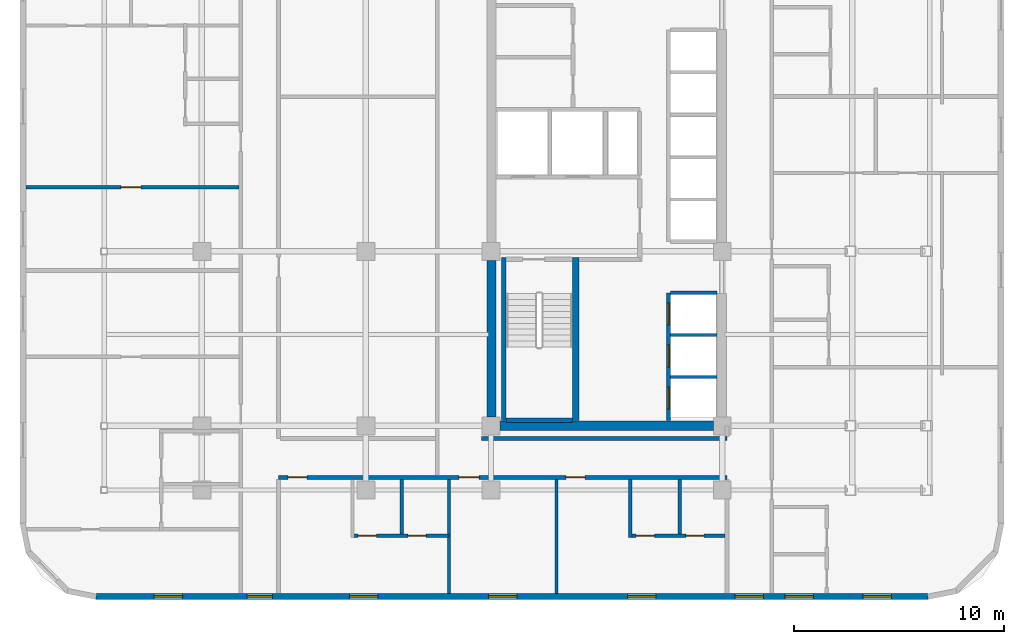
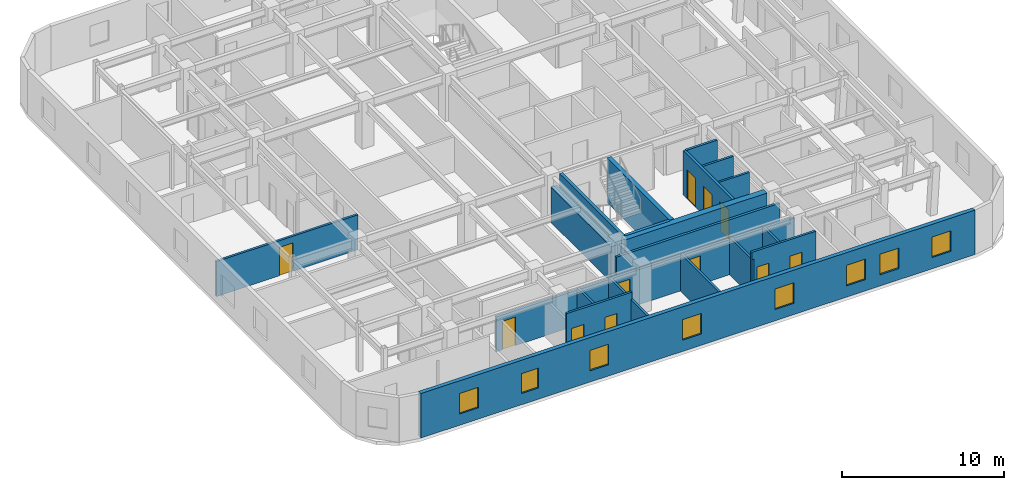
# One storey, part 6 of 12: 20 walls, 11 doors, 8 windows, 19 openings.
"""IFC4 building model written with IfcOpenShell, lengths in metres."""

from ifc_helpers import new_model, si_unit, direction, frame, frame_2d, origin, place, context, subcontext, project, spatial, rectangle, extrude, material, layer, layer_set, type_object, element, fill, save


model = new_model("IFC4")

# Units and contexts
model_context = context("Model", 3, precision=1e-05, world=origin(), true_north=direction((0.0, 1.0)))
body_context = subcontext(model_context, "Body", "Model", "MODEL_VIEW")
ifc_project = project(units=[si_unit("LENGTHUNIT", "METRE"), si_unit("AREAUNIT", "SQUARE_METRE"), si_unit("VOLUMEUNIT", "CUBIC_METRE"), si_unit("PLANEANGLEUNIT", "RADIAN"), si_unit("MASSUNIT", "GRAM", prefix="KILO")], contexts=[model_context])

# Site, building, storey
site_placement = place(None, origin())
site = spatial("IfcSite", under=ifc_project, at=site_placement, CompositionType="ELEMENT")
building_placement = place(site_placement, origin())
building = spatial("IfcBuilding", under=site, at=building_placement, Name="Ochreholt Gables", CompositionType="ELEMENT")
storey_placement = place(building_placement, frame((0.0, 0.0, 38.39990234375)))
storey = spatial("IfcBuildingStorey", under=building, at=storey_placement, Name="L09", CompositionType="ELEMENT", Elevation=38.39990234375)

# Walls
ifc_material_1 = material(Name="Concrete 60 MPa", Category="concrete")
ifc_layer_1 = layer(ifc_material_1, 0.449951171875, Name="Concrete 60 MPa")
ifc_layer_set_1 = layer_set([ifc_layer_1], Name="Concrete 60 MPa")
wall_type_1 = type_object("IfcWallType", Name="WALL-CSW-450", PredefinedType="SHEAR", material=ifc_layer_set_1)
wall_1_placement = place(storey_placement, frame((24.22509765625, 9.675048828125, 0.0), z_axis=(0.0, 0.0, 1.0), x_axis=(0.0, 1.0, 0.0)))
element("IfcWall", 1, at=wall_1_placement, inside=storey, type_object=wall_type_1, Name="L09 Core West Shear Wall WS", PredefinedType="SHEAR", context=body_context, shape_type="SweptSolid", body=[
    extrude(rectangle(XDim=7.449951171875, YDim=0.449951171875, at=frame_2d((3.72509765625, 0.0))), origin(), (0.0, 0.0, 1.0), 2.6669921875),
])
wall_2_placement = place(storey_placement, frame((24.625, 9.25, 0.0), z_axis=(0.0, 0.0, 1.0), x_axis=(1.0, 0.0, 0.0)))
element("IfcWall", 2, at=wall_2_placement, inside=storey, type_object=wall_type_1, Name="L09 Core South Shear Wall", PredefinedType="SHEAR", context=body_context, shape_type="SweptSolid", body=[
    extrude(rectangle(XDim=10.14990234375, YDim=0.449951171875, at=frame_2d((5.074951171875, 0.0))), origin(), (0.0, 0.0, 1.0), 3.360107421875),
])

# Wall, openings, windows
ifc_material_2 = material(Name="Precast concrete 40 MPa", Category="concrete")
ifc_layer_2 = layer(ifc_material_2, 0.2900390625, Name="Precast concrete 40 MPa")
ifc_layer_set_2 = layer_set([ifc_layer_2], Name="Precast concrete 40 MPa")
wall_type_2 = type_object("IfcWallType", Name="WALL-EXT-290", PredefinedType="SOLIDWALL", material=ifc_layer_set_2)
wall_3_placement = place(storey_placement, frame((5.419921875, 1.14501953125, 0.0), z_axis=(0.0, 0.0, 1.0), x_axis=(1.0, 0.0, 0.0)))
wall_3 = element("IfcWall", 3, at=wall_3_placement, inside=storey, type_object=wall_type_2, Name="L09 South Exterior Wall", PredefinedType="SOLIDWALL", context=body_context, shape_type="SweptSolid", body=[
    extrude(rectangle(XDim=39.56005859375, YDim=0.2900390625, at=frame_2d((19.780029296875, 0.0))), origin(), (0.0, 0.0, 1.0), 3.360107421875),
])
opening_1_placement = place(wall_3_placement, frame((2.764892578125, 0.0, 0.85009765625)))
opening_1 = element("IfcOpeningElement", 4, at=opening_1_placement, cuts=wall_3, Name="Opening WN-8", PredefinedType="OPENING", context=body_context, shape_type="SweptSolid", body=[
    extrude(rectangle(XDim=1.35009765625, YDim=1.550048828125, at=frame_2d((0.675048828125, 0.77490234375))), frame((0.0, 0.155029296875, 0.0), z_axis=(0.0, -1.0, 0.0), x_axis=(1.0, 0.0, 0.0)), (0.0, 0.0, 1.0), 0.31005859375),
])
opening_2_placement = place(wall_3_placement, frame((7.179931640625, 0.0, 0.85009765625)))
opening_2 = element("IfcOpeningElement", 5, at=opening_2_placement, cuts=wall_3, Name="Opening WN-3", PredefinedType="OPENING", context=body_context, shape_type="SweptSolid", body=[
    extrude(rectangle(XDim=1.199951171875, YDim=1.5, at=frame_2d((0.60009765625, 0.75))), frame((0.0, 0.155029296875, 0.0), z_axis=(0.0, -1.0, 0.0), x_axis=(1.0, 0.0, 0.0)), (0.0, 0.0, 1.0), 0.31005859375),
])
opening_3_placement = place(wall_3_placement, frame((12.055908203125, 0.0, 0.85009765625)))
opening_3 = element("IfcOpeningElement", 6, at=opening_3_placement, cuts=wall_3, Name="Opening WN-8", PredefinedType="OPENING", context=body_context, shape_type="SweptSolid", body=[
    extrude(rectangle(XDim=1.35009765625, YDim=1.550048828125, at=frame_2d((0.675048828125, 0.77490234375))), frame((0.0, 0.155029296875, 0.0), z_axis=(0.0, -1.0, 0.0), x_axis=(1.0, 0.0, 0.0)), (0.0, 0.0, 1.0), 0.31005859375),
])
opening_4_placement = place(wall_3_placement, frame((18.6650390625, 0.0, 0.85009765625)))
opening_4 = element("IfcOpeningElement", 7, at=opening_4_placement, cuts=wall_3, Name="Opening WN-8", PredefinedType="OPENING", context=body_context, shape_type="SweptSolid", body=[
    extrude(rectangle(XDim=1.35009765625, YDim=1.550048828125, at=frame_2d((0.675048828125, 0.77490234375))), frame((0.0, 0.155029296875, 0.0), z_axis=(0.0, -1.0, 0.0), x_axis=(1.0, 0.0, 0.0)), (0.0, 0.0, 1.0), 0.31005859375),
])
opening_5_placement = place(wall_3_placement, frame((25.274169921875, 0.0, 0.85009765625)))
opening_5 = element("IfcOpeningElement", 8, at=opening_5_placement, cuts=wall_3, Name="Opening WN-8", PredefinedType="OPENING", context=body_context, shape_type="SweptSolid", body=[
    extrude(rectangle(XDim=1.35009765625, YDim=1.550048828125, at=frame_2d((0.675048828125, 0.77490234375))), frame((0.0, 0.155029296875, 0.0), z_axis=(0.0, -1.0, 0.0), x_axis=(1.0, 0.0, 0.0)), (0.0, 0.0, 1.0), 0.31005859375),
])
opening_6_placement = place(wall_3_placement, frame((30.389892578125, 0.0, 0.85009765625)))
opening_6 = element("IfcOpeningElement", 9, at=opening_6_placement, cuts=wall_3, Name="Opening WN-8", PredefinedType="OPENING", context=body_context, shape_type="SweptSolid", body=[
    extrude(rectangle(XDim=1.35009765625, YDim=1.550048828125, at=frame_2d((0.675048828125, 0.77490234375))), frame((0.0, 0.155029296875, 0.0), z_axis=(0.0, -1.0, 0.0), x_axis=(1.0, 0.0, 0.0)), (0.0, 0.0, 1.0), 0.31005859375),
])
opening_7_placement = place(wall_3_placement, frame((32.762939453125, 0.0, 0.85009765625)))
opening_7 = element("IfcOpeningElement", 10, at=opening_7_placement, cuts=wall_3, Name="Opening WN-8", PredefinedType="OPENING", context=body_context, shape_type="SweptSolid", body=[
    extrude(rectangle(XDim=1.35009765625, YDim=1.550048828125, at=frame_2d((0.675048828125, 0.77490234375))), frame((0.0, 0.155029296875, 0.0), z_axis=(0.0, -1.0, 0.0), x_axis=(1.0, 0.0, 0.0)), (0.0, 0.0, 1.0), 0.31005859375),
])
opening_8_placement = place(wall_3_placement, frame((36.47802734375, 0.0, 0.85009765625)))
opening_8 = element("IfcOpeningElement", 11, at=opening_8_placement, cuts=wall_3, Name="Opening WN-8", PredefinedType="OPENING", context=body_context, shape_type="SweptSolid", body=[
    extrude(rectangle(XDim=1.35009765625, YDim=1.550048828125, at=frame_2d((0.675048828125, 0.77490234375))), frame((0.0, 0.155029296875, 0.0), z_axis=(0.0, -1.0, 0.0), x_axis=(1.0, 0.0, 0.0)), (0.0, 0.0, 1.0), 0.31005859375),
])
ifc_material_3 = material(Name="Triple-Glazed Thermally Broken Aluminium Window", Category="aluminium")
window_type_1 = type_object("IfcWindowType", Name="WIN-RES-1200", PartitioningType="SINGLE_PANEL", PredefinedType="WINDOW", material=ifc_material_3)
window_1_placement = place(opening_2_placement, origin())
window_1 = element("IfcWindow", 12, at=window_1_placement, inside=storey, type_object=window_type_1, Name="L09 Window W-EXT-S-L09-2", OverallHeight=1.5, OverallWidth=1.199951171875, PartitioningType="SINGLE_PANEL", PredefinedType="WINDOW", context=body_context, shape_type="SweptSolid", body=[
    extrude(rectangle(XDim=1.199951171875, YDim=1.5, at=frame_2d((0.60009765625, 0.75))), frame((0.0, 0.030029296875, 0.0), z_axis=(0.0, -1.0, 0.0), x_axis=(1.0, 0.0, 0.0)), (0.0, 0.0, 1.0), 0.06005859375),
])
fill(opening_2, window_1)
window_type_2 = type_object("IfcWindowType", Name="WIN-RES-1350", PartitioningType="SINGLE_PANEL", PredefinedType="WINDOW", material=ifc_material_3)
window_2_placement = place(opening_1_placement, origin())
window_2 = element("IfcWindow", 13, at=window_2_placement, inside=storey, type_object=window_type_2, Name="L09 Window W-EXT-S-L09-1", OverallHeight=1.550048828125, OverallWidth=1.35009765625, PartitioningType="SINGLE_PANEL", PredefinedType="WINDOW", context=body_context, shape_type="SweptSolid", body=[
    extrude(rectangle(XDim=1.35009765625, YDim=1.550048828125, at=frame_2d((0.675048828125, 0.77490234375))), frame((0.0, 0.030029296875, 0.0), z_axis=(0.0, -1.0, 0.0), x_axis=(1.0, 0.0, 0.0)), (0.0, 0.0, 1.0), 0.06005859375),
])
fill(opening_1, window_2)
window_3_placement = place(opening_3_placement, origin())
window_3 = element("IfcWindow", 14, at=window_3_placement, inside=storey, type_object=window_type_2, Name="L09 Window W-EXT-S-L09-3", OverallHeight=1.550048828125, OverallWidth=1.35009765625, PartitioningType="SINGLE_PANEL", PredefinedType="WINDOW", context=body_context, shape_type="SweptSolid", body=[
    extrude(rectangle(XDim=1.35009765625, YDim=1.550048828125, at=frame_2d((0.675048828125, 0.77490234375))), frame((0.0, 0.030029296875, 0.0), z_axis=(0.0, -1.0, 0.0), x_axis=(1.0, 0.0, 0.0)), (0.0, 0.0, 1.0), 0.06005859375),
])
fill(opening_3, window_3)
window_4_placement = place(opening_4_placement, origin())
window_4 = element("IfcWindow", 15, at=window_4_placement, inside=storey, type_object=window_type_2, Name="L09 Window W-EXT-S-L09-4", OverallHeight=1.550048828125, OverallWidth=1.35009765625, PartitioningType="SINGLE_PANEL", PredefinedType="WINDOW", context=body_context, shape_type="SweptSolid", body=[
    extrude(rectangle(XDim=1.35009765625, YDim=1.550048828125, at=frame_2d((0.675048828125, 0.77490234375))), frame((0.0, 0.030029296875, 0.0), z_axis=(0.0, -1.0, 0.0), x_axis=(1.0, 0.0, 0.0)), (0.0, 0.0, 1.0), 0.06005859375),
])
fill(opening_4, window_4)
window_5_placement = place(opening_5_placement, origin())
window_5 = element("IfcWindow", 16, at=window_5_placement, inside=storey, type_object=window_type_2, Name="L09 Window W-EXT-S-L09-5", OverallHeight=1.550048828125, OverallWidth=1.35009765625, PartitioningType="SINGLE_PANEL", PredefinedType="WINDOW", context=body_context, shape_type="SweptSolid", body=[
    extrude(rectangle(XDim=1.35009765625, YDim=1.550048828125, at=frame_2d((0.675048828125, 0.77490234375))), frame((0.0, 0.030029296875, 0.0), z_axis=(0.0, -1.0, 0.0), x_axis=(1.0, 0.0, 0.0)), (0.0, 0.0, 1.0), 0.06005859375),
])
fill(opening_5, window_5)
window_6_placement = place(opening_6_placement, origin())
window_6 = element("IfcWindow", 17, at=window_6_placement, inside=storey, type_object=window_type_2, Name="L09 Window W-EXT-S-L09-6", OverallHeight=1.550048828125, OverallWidth=1.35009765625, PartitioningType="SINGLE_PANEL", PredefinedType="WINDOW", context=body_context, shape_type="SweptSolid", body=[
    extrude(rectangle(XDim=1.35009765625, YDim=1.550048828125, at=frame_2d((0.675048828125, 0.77490234375))), frame((0.0, 0.030029296875, 0.0), z_axis=(0.0, -1.0, 0.0), x_axis=(1.0, 0.0, 0.0)), (0.0, 0.0, 1.0), 0.06005859375),
])
fill(opening_6, window_6)
window_7_placement = place(opening_7_placement, origin())
window_7 = element("IfcWindow", 18, at=window_7_placement, inside=storey, type_object=window_type_2, Name="L09 Window W-EXT-S-L09-7", OverallHeight=1.550048828125, OverallWidth=1.35009765625, PartitioningType="SINGLE_PANEL", PredefinedType="WINDOW", context=body_context, shape_type="SweptSolid", body=[
    extrude(rectangle(XDim=1.35009765625, YDim=1.550048828125, at=frame_2d((0.675048828125, 0.77490234375))), frame((0.0, 0.030029296875, 0.0), z_axis=(0.0, -1.0, 0.0), x_axis=(1.0, 0.0, 0.0)), (0.0, 0.0, 1.0), 0.06005859375),
])
fill(opening_7, window_7)
window_8_placement = place(opening_8_placement, origin())
window_8 = element("IfcWindow", 19, at=window_8_placement, inside=storey, type_object=window_type_2, Name="L09 Window W-EXT-S-L09-8", OverallHeight=1.550048828125, OverallWidth=1.35009765625, PartitioningType="SINGLE_PANEL", PredefinedType="WINDOW", context=body_context, shape_type="SweptSolid", body=[
    extrude(rectangle(XDim=1.35009765625, YDim=1.550048828125, at=frame_2d((0.675048828125, 0.77490234375))), frame((0.0, 0.030029296875, 0.0), z_axis=(0.0, -1.0, 0.0), x_axis=(1.0, 0.0, 0.0)), (0.0, 0.0, 1.0), 0.06005859375),
])
fill(opening_8, window_8)

# Wall, openings, doors
ifc_material_4 = material(Name="Fire-Rated Gypsum Acoustic Partition", Category="gypsum")
ifc_layer_3 = layer(ifc_material_4, 0.179931640625, Name="Fire-Rated Gypsum Acoustic Partition")
ifc_layer_set_3 = layer_set([ifc_layer_3], Name="Fire-Rated Gypsum Acoustic Partition")
wall_type_3 = type_object("IfcWallType", Name="WALL-INT-CR180", PredefinedType="STANDARD", material=ifc_layer_set_3)
wall_4_placement = place(storey_placement, frame((14.10009765625, 6.800048828125, 0.0), z_axis=(0.0, 0.0, 1.0), x_axis=(1.0, 0.0, 0.0)))
wall_4 = element("IfcWall", 20, at=wall_4_placement, inside=storey, type_object=wall_type_3, Name="L09 Interior Wall WI-C1S-L09", PredefinedType="STANDARD", context=body_context, shape_type="SweptSolid", body=[
    extrude(rectangle(XDim=21.31982421875, YDim=0.179931640625, at=frame_2d((10.659912109375, 0.0))), origin(), (0.0, 0.0, 1.0), 2.649169921875),
])
opening_9_placement = place(wall_4_placement, frame((0.43994140625, 0.0, 0.0)))
opening_9 = element("IfcOpeningElement", 21, at=opening_9_placement, cuts=wall_4, Name="Opening D-UN1", PredefinedType="OPENING", context=body_context, shape_type="SweptSolid", body=[
    extrude(rectangle(XDim=0.919921875, YDim=2.14990234375, at=frame_2d((0.4599609375, 1.074951171875))), frame((0.0, 0.099853515625, 0.0), z_axis=(0.0, -1.0, 0.0), x_axis=(1.0, 0.0, 0.0)), (0.0, 0.0, 1.0), 0.199951171875),
])
opening_10_placement = place(wall_4_placement, frame((8.58154296875, 0.0, 0.0)))
opening_10 = element("IfcOpeningElement", 22, at=opening_10_placement, cuts=wall_4, Name="Opening D-GN1", PredefinedType="OPENING", context=body_context, shape_type="SweptSolid", body=[
    extrude(rectangle(XDim=0.949951171875, YDim=2.14990234375, at=frame_2d((0.47509765625, 1.074951171875))), frame((0.0, 0.099853515625, 0.0), z_axis=(0.0, -1.0, 0.0), x_axis=(1.0, 0.0, 0.0)), (0.0, 0.0, 1.0), 0.199951171875),
])
opening_11_placement = place(wall_4_placement, frame((13.658447265625, 0.0, 0.0)))
opening_11 = element("IfcOpeningElement", 23, at=opening_11_placement, cuts=wall_4, Name="Opening D-UN1", PredefinedType="OPENING", context=body_context, shape_type="SweptSolid", body=[
    extrude(rectangle(XDim=0.919921875, YDim=2.14990234375, at=frame_2d((0.4599609375, 1.074951171875))), frame((0.0, 0.099853515625, 0.0), z_axis=(0.0, -1.0, 0.0), x_axis=(1.0, 0.0, 0.0)), (0.0, 0.0, 1.0), 0.199951171875),
])
ifc_material_5 = material(Name="Engineered Oak Timber", Category="wood")
door_type_1 = type_object("IfcDoorType", Name="DR-INT-GEN950", OperationType="NOTDEFINED", PredefinedType="DOOR", material=ifc_material_5)
door_1_placement = place(opening_10_placement, origin())
door_1 = element("IfcDoor", 24, at=door_1_placement, inside=storey, type_object=door_type_1, Name="L09 Door D-C1S3-L09", OperationType="SINGLE_SWING_LEFT", OverallHeight=2.14990234375, OverallWidth=0.949951171875, PredefinedType="DOOR", context=body_context, shape_type="SweptSolid", body=[
    extrude(rectangle(XDim=0.949951171875, YDim=2.14990234375, at=frame_2d((0.47509765625, 1.074951171875))), frame((0.0, 0.02490234375, 0.0), z_axis=(0.0, -1.0, 0.0), x_axis=(1.0, 0.0, 0.0)), (0.0, 0.0, 1.0), 0.050048828125),
])
fill(opening_10, door_1)
door_type_2 = type_object("IfcDoorType", Name="DR-INT-UNT920", OperationType="NOTDEFINED", PredefinedType="DOOR", material=ifc_material_5)
door_2_placement = place(opening_9_placement, origin())
door_2 = element("IfcDoor", 25, at=door_2_placement, inside=storey, type_object=door_type_2, Name="L09 Door D-U-L09S1-ENT", OperationType="SINGLE_SWING_RIGHT", OverallHeight=2.14990234375, OverallWidth=0.919921875, PredefinedType="DOOR", context=body_context, shape_type="SweptSolid", body=[
    extrude(rectangle(XDim=0.919921875, YDim=2.14990234375, at=frame_2d((0.4599609375, 1.074951171875))), frame((0.0, 0.02490234375, 0.0), z_axis=(0.0, -1.0, 0.0), x_axis=(1.0, 0.0, 0.0)), (0.0, 0.0, 1.0), 0.050048828125),
])
fill(opening_9, door_2)
door_3_placement = place(opening_11_placement, origin())
door_3 = element("IfcDoor", 26, at=door_3_placement, inside=storey, type_object=door_type_2, Name="L09 Door D-U-L09S3-ENT", OperationType="SINGLE_SWING_RIGHT", OverallHeight=2.14990234375, OverallWidth=0.919921875, PredefinedType="DOOR", context=body_context, shape_type="SweptSolid", body=[
    extrude(rectangle(XDim=0.919921875, YDim=2.14990234375, at=frame_2d((0.4599609375, 1.074951171875))), frame((0.0, 0.02490234375, 0.0), z_axis=(0.0, -1.0, 0.0), x_axis=(1.0, 0.0, 0.0)), (0.0, 0.0, 1.0), 0.050048828125),
])
fill(opening_11, door_3)

# Wall
wall_5_placement = place(storey_placement, frame((23.75, 8.64990234375, 0.0), z_axis=(0.0, 0.0, 1.0), x_axis=(1.0, 0.0, 0.0)))
element("IfcWall", 27, at=wall_5_placement, inside=storey, type_object=wall_type_3, Name="L09 Interior Wall WI-C1S2-L09", PredefinedType="STANDARD", context=body_context, shape_type="SweptSolid", body=[
    extrude(rectangle(XDim=11.669921875, YDim=0.179931640625, at=frame_2d((5.8349609375, 0.0))), origin(), (0.0, 0.0, 1.0), 2.649169921875),
])

# Wall, openings, doors
ifc_material_6 = material(Name="Moisture-Resistant Plumbing Chase Wall", Category="gypsum")
ifc_layer_4 = layer(ifc_material_6, 0.159912109375, Name="Moisture-Resistant Plumbing Chase Wall")
ifc_layer_set_4 = layer_set([ifc_layer_4], Name="Moisture-Resistant Plumbing Chase Wall")
wall_type_4 = type_object("IfcWallType", Name="WALL-INT-PL160", PredefinedType="PLUMBINGWALL", material=ifc_layer_set_4)
wall_6_placement = place(storey_placement, frame((17.531494140625, 4.030029296875, 0.0), z_axis=(0.0, 0.0, 1.0), x_axis=(1.0, 0.0, 0.0)))
wall_6 = element("IfcWall", 28, at=wall_6_placement, inside=storey, type_object=wall_type_4, Name="L09 Interior Wall WU-L09S1-WY", PredefinedType="PLUMBINGWALL", context=body_context, shape_type="SweptSolid", body=[
    extrude(rectangle(XDim=4.670166015625, YDim=0.159912109375, at=frame_2d((2.3349609375, 0.0))), origin(), (0.0, 0.0, 1.0), 3.360107421875),
])
opening_12_placement = place(wall_6_placement, frame((0.35009765625, 0.0, 0.0)))
opening_12 = element("IfcOpeningElement", 29, at=opening_12_placement, cuts=wall_6, Name="Opening D-GN2", PredefinedType="OPENING", context=body_context, shape_type="SweptSolid", body=[
    extrude(rectangle(XDim=0.8798828125, YDim=2.1201171875, at=frame_2d((0.43994140625, 1.06005859375))), frame((0.0, 0.08984375, 0.0), z_axis=(0.0, -1.0, 0.0), x_axis=(1.0, 0.0, 0.0)), (0.0, 0.0, 1.0), 0.179931640625),
])
opening_13_placement = place(wall_6_placement, frame((2.719970703125, 0.0, 0.0)))
opening_13 = element("IfcOpeningElement", 30, at=opening_13_placement, cuts=wall_6, Name="Opening D-BT1", PredefinedType="OPENING", context=body_context, shape_type="SweptSolid", body=[
    extrude(rectangle(XDim=0.860107421875, YDim=2.1201171875, at=frame_2d((0.43017578125, 1.06005859375))), frame((0.0, 0.08984375, 0.0), z_axis=(0.0, -1.0, 0.0), x_axis=(1.0, 0.0, 0.0)), (0.0, 0.0, 1.0), 0.179931640625),
])
door_type_3 = type_object("IfcDoorType", Name="DR-INT-BTH860", OperationType="NOTDEFINED", PredefinedType="DOOR", material=ifc_material_5)
door_4_placement = place(opening_13_placement, origin())
door_4 = element("IfcDoor", 31, at=door_4_placement, inside=storey, type_object=door_type_3, Name="L09 Door D-U-L09S1-BTH", OperationType="SINGLE_SWING_RIGHT", OverallHeight=2.1201171875, OverallWidth=0.860107421875, PredefinedType="DOOR", context=body_context, shape_type="SweptSolid", body=[
    extrude(rectangle(XDim=0.860107421875, YDim=2.1201171875, at=frame_2d((0.43017578125, 1.06005859375))), frame((0.0, 0.02490234375, 0.0), z_axis=(0.0, -1.0, 0.0), x_axis=(1.0, 0.0, 0.0)), (0.0, 0.0, 1.0), 0.050048828125),
])
fill(opening_13, door_4)
door_type_4 = type_object("IfcDoorType", Name="DR-INT-GEN880", OperationType="NOTDEFINED", PredefinedType="DOOR", material=ifc_material_5)
door_5_placement = place(opening_12_placement, origin())
door_5 = element("IfcDoor", 32, at=door_5_placement, inside=storey, type_object=door_type_4, Name="L09 Door D-U-L09S1-KIT", OperationType="SINGLE_SWING_LEFT", OverallHeight=2.1201171875, OverallWidth=0.8798828125, PredefinedType="DOOR", context=body_context, shape_type="SweptSolid", body=[
    extrude(rectangle(XDim=0.8798828125, YDim=2.1201171875, at=frame_2d((0.43994140625, 1.06005859375))), frame((0.0, 0.02490234375, 0.0), z_axis=(0.0, -1.0, 0.0), x_axis=(1.0, 0.0, 0.0)), (0.0, 0.0, 1.0), 0.050048828125),
])
fill(opening_12, door_5)

# Wall
wall_7_placement = place(storey_placement, frame((19.95166015625, 4.110107421875, 0.0), z_axis=(0.0, 0.0, 1.0), x_axis=(0.0, 1.0, 0.0)))
element("IfcWall", 33, at=wall_7_placement, inside=storey, type_object=wall_type_4, Name="L09 Interior Wall WU-L09S1-WK", PredefinedType="PLUMBINGWALL", context=body_context, shape_type="SweptSolid", body=[
    extrude(rectangle(XDim=2.599853515625, YDim=0.159912109375, at=frame_2d((1.2998046875, 0.0))), origin(), (0.0, 0.0, 1.0), 2.80908203125),
])

# Wall, openings, doors
wall_8_placement = place(storey_placement, frame((30.75, 4.030029296875, 0.0), z_axis=(0.0, 0.0, 1.0), x_axis=(1.0, 0.0, 0.0)))
wall_8 = element("IfcWall", 34, at=wall_8_placement, inside=storey, type_object=wall_type_4, Name="L09 Interior Wall WU-L09S3-WY", PredefinedType="PLUMBINGWALL", context=body_context, shape_type="SweptSolid", body=[
    extrude(rectangle(XDim=4.580078125, YDim=0.159912109375, at=frame_2d((2.2900390625, 0.0))), origin(), (0.0, 0.0, 1.0), 3.360107421875),
])
opening_14_placement = place(wall_8_placement, frame((0.35009765625, 0.0, 0.0)))
opening_14 = element("IfcOpeningElement", 35, at=opening_14_placement, cuts=wall_8, Name="Opening D-GN2", PredefinedType="OPENING", context=body_context, shape_type="SweptSolid", body=[
    extrude(rectangle(XDim=0.8798828125, YDim=2.1201171875, at=frame_2d((0.43994140625, 1.06005859375))), frame((0.0, 0.08984375, 0.0), z_axis=(0.0, -1.0, 0.0), x_axis=(1.0, 0.0, 0.0)), (0.0, 0.0, 1.0), 0.179931640625),
])
opening_15_placement = place(wall_8_placement, frame((2.719970703125, 0.0, 0.0)))
opening_15 = element("IfcOpeningElement", 36, at=opening_15_placement, cuts=wall_8, Name="Opening D-BT1", PredefinedType="OPENING", context=body_context, shape_type="SweptSolid", body=[
    extrude(rectangle(XDim=0.860107421875, YDim=2.1201171875, at=frame_2d((0.43017578125, 1.06005859375))), frame((0.0, 0.08984375, 0.0), z_axis=(0.0, -1.0, 0.0), x_axis=(1.0, 0.0, 0.0)), (0.0, 0.0, 1.0), 0.179931640625),
])
door_6_placement = place(opening_15_placement, origin())
door_6 = element("IfcDoor", 37, at=door_6_placement, inside=storey, type_object=door_type_3, Name="L09 Door D-U-L09S3-BTH", OperationType="SINGLE_SWING_RIGHT", OverallHeight=2.1201171875, OverallWidth=0.860107421875, PredefinedType="DOOR", context=body_context, shape_type="SweptSolid", body=[
    extrude(rectangle(XDim=0.860107421875, YDim=2.1201171875, at=frame_2d((0.43017578125, 1.06005859375))), frame((0.0, 0.02490234375, 0.0), z_axis=(0.0, -1.0, 0.0), x_axis=(1.0, 0.0, 0.0)), (0.0, 0.0, 1.0), 0.050048828125),
])
fill(opening_15, door_6)
door_7_placement = place(opening_14_placement, origin())
door_7 = element("IfcDoor", 38, at=door_7_placement, inside=storey, type_object=door_type_4, Name="L09 Door D-U-L09S3-KIT", OperationType="SINGLE_SWING_LEFT", OverallHeight=2.1201171875, OverallWidth=0.8798828125, PredefinedType="DOOR", context=body_context, shape_type="SweptSolid", body=[
    extrude(rectangle(XDim=0.8798828125, YDim=2.1201171875, at=frame_2d((0.43994140625, 1.06005859375))), frame((0.0, 0.02490234375, 0.0), z_axis=(0.0, -1.0, 0.0), x_axis=(1.0, 0.0, 0.0)), (0.0, 0.0, 1.0), 0.050048828125),
])
fill(opening_14, door_7)

# Walls
wall_9_placement = place(storey_placement, frame((30.830078125, 3.949951171875, 0.0), z_axis=(0.0, 0.0, 1.0), x_axis=(0.0, 1.0, 0.0)))
element("IfcWall", 39, at=wall_9_placement, inside=storey, type_object=wall_type_4, Name="L09 Interior Wall WU-L09S3-FY", PredefinedType="PLUMBINGWALL", context=body_context, shape_type="SweptSolid", body=[
    extrude(rectangle(XDim=2.760009765625, YDim=0.159912109375, at=frame_2d((1.3798828125, 0.0))), origin(), (0.0, 0.0, 1.0), 2.80908203125),
])
wall_10_placement = place(storey_placement, frame((33.169921875, 4.110107421875, 0.0), z_axis=(0.0, 0.0, 1.0), x_axis=(0.0, 1.0, 0.0)))
element("IfcWall", 40, at=wall_10_placement, inside=storey, type_object=wall_type_4, Name="L09 Interior Wall WU-L09S3-WK", PredefinedType="PLUMBINGWALL", context=body_context, shape_type="SweptSolid", body=[
    extrude(rectangle(XDim=2.599853515625, YDim=0.159912109375, at=frame_2d((1.2998046875, 0.0))), origin(), (0.0, 0.0, 1.0), 2.80908203125),
])

# Wall, opening, door
ifc_material_7 = material(Name="Gypsum Acoustic Stud Partition", Category="gypsum")
ifc_layer_5 = layer(ifc_material_7, 0.159912109375, Name="Gypsum Acoustic Stud Partition")
ifc_layer_set_5 = layer_set([ifc_layer_5], Name="Gypsum Acoustic Stud Partition")
wall_type_5 = type_object("IfcWallType", Name="WALL-INT-PT160", PredefinedType="PARTITIONING", material=ifc_layer_set_5)
wall_11_placement = place(storey_placement, frame((2.090087890625, 20.601806640625, 0.0), z_axis=(0.0, 0.0, 1.0), x_axis=(1.0, 0.0, 0.0)))
wall_11 = element("IfcWall", 41, at=wall_11_placement, inside=storey, type_object=wall_type_5, Name="L09 Interior Wall WU-L09W2-DNW", PredefinedType="PARTITIONING", context=body_context, shape_type="SweptSolid", body=[
    extrude(rectangle(XDim=10.119873046875, YDim=0.159912109375, at=frame_2d((5.06005859375, 0.0))), origin(), (0.0, 0.0, 1.0), 2.649169921875),
])
opening_16_placement = place(wall_11_placement, frame((4.510009765625, 0.0, 0.0)))
opening_16 = element("IfcOpeningElement", 42, at=opening_16_placement, cuts=wall_11, Name="Opening D-GN1", PredefinedType="OPENING", context=body_context, shape_type="SweptSolid", body=[
    extrude(rectangle(XDim=0.949951171875, YDim=2.14990234375, at=frame_2d((0.47509765625, 1.074951171875))), frame((0.0, 0.08984375, 0.0), z_axis=(0.0, -1.0, 0.0), x_axis=(1.0, 0.0, 0.0)), (0.0, 0.0, 1.0), 0.179931640625),
])
door_8_placement = place(opening_16_placement, origin())
door_8 = element("IfcDoor", 43, at=door_8_placement, inside=storey, type_object=door_type_1, Name="L09 Door D-U-L09W2-DIN", OperationType="SINGLE_SWING_RIGHT", OverallHeight=2.14990234375, OverallWidth=0.949951171875, PredefinedType="DOOR", context=body_context, shape_type="SweptSolid", body=[
    extrude(rectangle(XDim=0.949951171875, YDim=2.14990234375, at=frame_2d((0.47509765625, 1.074951171875))), frame((0.0, 0.02490234375, 0.0), z_axis=(0.0, -1.0, 0.0), x_axis=(1.0, 0.0, 0.0)), (0.0, 0.0, 1.0), 0.050048828125),
])
fill(opening_16, door_8)

# Walls
for number, where, z_axis, x_axis, name in (
    (44, (22.20166015625, 1.2900390625, 0.0), (0.0, 0.0, 1.0), (0.0, 1.0, 0.0), "L09 Interior Wall WI-UDS2-L09"),
    (45, (27.318359375, 1.2900390625, 0.0), (0.0, 0.0, 1.0), (0.0, 1.0, 0.0), "L09 Interior Wall WI-UDS3-L09"),
):
    element("IfcWall", number, at=place(storey_placement, frame(where, z_axis=z_axis, x_axis=x_axis)), inside=storey, type_object=wall_type_5, Name=name, PredefinedType="PARTITIONING", context=body_context, shape_type="SweptSolid", body=[
        extrude(rectangle(XDim=5.419921875, YDim=0.159912109375, at=frame_2d((2.7099609375, 0.0))), origin(), (0.0, 0.0, 1.0), 2.80908203125),
    ])
ifc_material_8 = material(Name="Gypsum Shaftliner and Steel Stud", Category="steel")
ifc_layer_6 = layer(ifc_material_8, 0.14990234375, Name="Gypsum Shaftliner and Steel Stud")
ifc_layer_set_6 = layer_set([ifc_layer_6], Name="Gypsum Shaftliner and Steel Stud")
wall_type_6 = type_object("IfcWallType", Name="WALL-INT-SH150", PredefinedType="STANDARD", material=ifc_layer_set_6)
for number, where, z_axis, x_axis, name in (
    (46, (32.739990234375, 11.570068359375, 0.0), (0.0, 0.0, 1.0), (1.0, 0.0, 0.0), "L09 Interior Wall WI-LFL-D1-L09"),
    (47, (32.739990234375, 13.570068359375, 0.0), (0.0, 0.0, 1.0), (1.0, 0.0, 0.0), "L09 Interior Wall WI-LFL-D2-L09"),
):
    element("IfcWall", number, at=place(storey_placement, frame(where, z_axis=z_axis, x_axis=x_axis)), inside=storey, type_object=wall_type_6, Name=name, PredefinedType="STANDARD", context=body_context, shape_type="SweptSolid", body=[
        extrude(rectangle(XDim=2.2099609375, YDim=0.14990234375, at=frame_2d((1.10498046875, 0.0))), origin(), (0.0, 0.0, 1.0), 3.360107421875),
    ])

# Wall, openings, doors
ifc_layer_7 = layer(ifc_material_8, 0.179931640625, Name="Gypsum Shaftliner and Steel Stud")
ifc_layer_set_7 = layer_set([ifc_layer_7], Name="Gypsum Shaftliner and Steel Stud")
wall_type_7 = type_object("IfcWallType", Name="WALL-INT-SH180", PredefinedType="STANDARD", material=ifc_layer_set_7)
wall_12_placement = place(storey_placement, frame((32.64990234375, 9.5, 0.0), z_axis=(0.0, 0.0, 1.0), x_axis=(0.0, 1.0, 0.0)))
wall_12 = element("IfcWall", 48, at=wall_12_placement, inside=storey, type_object=wall_type_7, Name="L09 Interior Wall WI-LFL-FR-L09", PredefinedType="STANDARD", context=body_context, shape_type="SweptSolid", body=[
    extrude(rectangle(XDim=6.080078125, YDim=0.179931640625, at=frame_2d((3.0400390625, 0.0))), origin(), (0.0, 0.0, 1.0), 3.360107421875),
])
opening_17_placement = place(wall_12_placement, frame((0.550048828125, 0.0, 0.0)))
opening_17 = element("IfcOpeningElement", 49, at=opening_17_placement, cuts=wall_12, Name="Opening LD-PX", PredefinedType="OPENING", context=body_context, shape_type="SweptSolid", body=[
    extrude(rectangle(XDim=1.050048828125, YDim=2.199951171875, at=frame_2d((0.52490234375, 1.10009765625))), frame((0.0, 0.099853515625, 0.0), z_axis=(0.0, -1.0, 0.0), x_axis=(1.0, 0.0, 0.0)), (0.0, 0.0, 1.0), 0.199951171875),
])
opening_18_placement = place(wall_12_placement, frame((2.550048828125, 0.0, 0.0)))
opening_18 = element("IfcOpeningElement", 50, at=opening_18_placement, cuts=wall_12, Name="Opening LD-PX", PredefinedType="OPENING", context=body_context, shape_type="SweptSolid", body=[
    extrude(rectangle(XDim=1.050048828125, YDim=2.199951171875, at=frame_2d((0.52490234375, 1.10009765625))), frame((0.0, 0.099853515625, 0.0), z_axis=(0.0, -1.0, 0.0), x_axis=(1.0, 0.0, 0.0)), (0.0, 0.0, 1.0), 0.199951171875),
])
opening_19_placement = place(wall_12_placement, frame((4.550048828125, 0.0, 0.0)))
opening_19 = element("IfcOpeningElement", 51, at=opening_19_placement, cuts=wall_12, Name="Opening LD-PX", PredefinedType="OPENING", context=body_context, shape_type="SweptSolid", body=[
    extrude(rectangle(XDim=1.050048828125, YDim=2.199951171875, at=frame_2d((0.52490234375, 1.10009765625))), frame((0.0, 0.099853515625, 0.0), z_axis=(0.0, -1.0, 0.0), x_axis=(1.0, 0.0, 0.0)), (0.0, 0.0, 1.0), 0.199951171875),
])
ifc_material_9 = material(Name="Stainless Steel", Category="steel")
door_type_5 = type_object("IfcDoorType", Name="DR-LFT-PX1050", OperationType="NOTDEFINED", PredefinedType="DOOR", material=ifc_material_9)
door_9_placement = place(opening_17_placement, origin())
door_9 = element("IfcDoor", 52, at=door_9_placement, inside=storey, type_object=door_type_5, Name="L09 Door LD-L1-L09", OperationType="SLIDING_TO_LEFT", OverallHeight=2.199951171875, OverallWidth=1.050048828125, PredefinedType="DOOR", context=body_context, shape_type="SweptSolid", body=[
    extrude(rectangle(XDim=1.050048828125, YDim=2.199951171875, at=frame_2d((0.52490234375, 1.10009765625))), frame((0.0, 0.02490234375, 0.0), z_axis=(0.0, -1.0, 0.0), x_axis=(1.0, 0.0, 0.0)), (0.0, 0.0, 1.0), 0.050048828125),
])
fill(opening_17, door_9)
door_10_placement = place(opening_18_placement, origin())
door_10 = element("IfcDoor", 53, at=door_10_placement, inside=storey, type_object=door_type_5, Name="L09 Door LD-L2-L09", OperationType="SLIDING_TO_LEFT", OverallHeight=2.199951171875, OverallWidth=1.050048828125, PredefinedType="DOOR", context=body_context, shape_type="SweptSolid", body=[
    extrude(rectangle(XDim=1.050048828125, YDim=2.199951171875, at=frame_2d((0.52490234375, 1.10009765625))), frame((0.0, 0.02490234375, 0.0), z_axis=(0.0, -1.0, 0.0), x_axis=(1.0, 0.0, 0.0)), (0.0, 0.0, 1.0), 0.050048828125),
])
fill(opening_18, door_10)
door_11_placement = place(opening_19_placement, origin())
door_11 = element("IfcDoor", 54, at=door_11_placement, inside=storey, type_object=door_type_5, Name="L09 Door LD-L3-L09", OperationType="SLIDING_TO_LEFT", OverallHeight=2.199951171875, OverallWidth=1.050048828125, PredefinedType="DOOR", context=body_context, shape_type="SweptSolid", body=[
    extrude(rectangle(XDim=1.050048828125, YDim=2.199951171875, at=frame_2d((0.52490234375, 1.10009765625))), frame((0.0, 0.02490234375, 0.0), z_axis=(0.0, -1.0, 0.0), x_axis=(1.0, 0.0, 0.0)), (0.0, 0.0, 1.0), 0.050048828125),
])
fill(opening_19, door_11)

# Walls
wall_13_placement = place(storey_placement, frame((32.739990234375, 15.580078125, 0.0), z_axis=(0.0, 0.0, 1.0), x_axis=(1.0, 0.0, 0.0)))
element("IfcWall", 55, at=wall_13_placement, inside=storey, type_object=wall_type_7, Name="L09 Interior Wall WI-LFL-N-L09", PredefinedType="STANDARD", context=body_context, shape_type="SweptSolid", body=[
    extrude(rectangle(XDim=2.2099609375, YDim=0.179931640625, at=frame_2d((1.10498046875, 0.0))), origin(), (0.0, 0.0, 1.0), 3.360107421875),
])
ifc_layer_8 = layer(ifc_material_1, 0.300048828125, Name="Concrete 60 MPa")
ifc_layer_set_8 = layer_set([ifc_layer_8], Name="Concrete 60 MPa")
wall_type_8 = type_object("IfcWallType", Name="WALL-SPN-300", PredefinedType="SHEAR", material=ifc_layer_set_8)
wall_14_placement = place(storey_placement, frame((28.22998046875, 9.5, 0.0), z_axis=(0.0, 0.0, 1.0), x_axis=(0.0, 1.0, 0.0)))
element("IfcWall", 56, at=wall_14_placement, inside=storey, type_object=wall_type_8, Name="L09 Core South Spine Shear Wall", PredefinedType="SHEAR", context=body_context, shape_type="SweptSolid", body=[
    extrude(rectangle(XDim=7.760009765625, YDim=0.300048828125, at=frame_2d((3.8798828125, 0.0))), origin(), (0.0, 0.0, 1.0), 3.360107421875),
])
ifc_material_10 = material(Name="Concrete 50 MPa", Category="concrete")
ifc_layer_9 = layer(ifc_material_10, 0.219970703125, Name="Concrete 50 MPa")
ifc_layer_set_9 = layer_set([ifc_layer_9], Name="Concrete 50 MPa")
wall_type_9 = type_object("IfcWallType", Name="WALL-STW-220", PredefinedType="SHEAR", material=ifc_layer_set_9)
wall_15_placement = place(storey_placement, frame((24.81005859375, 9.5, 0.0), z_axis=(0.0, 0.0, 1.0), x_axis=(0.0, 1.0, 0.0)))
element("IfcWall", 57, at=wall_15_placement, inside=storey, type_object=wall_type_9, Name="L09 Exit Stair 1 West Wall", PredefinedType="SHEAR", context=body_context, shape_type="SweptSolid", body=[
    extrude(rectangle(XDim=7.760009765625, YDim=0.219970703125, at=frame_2d((3.8798828125, 0.0))), origin(), (0.0, 0.0, 1.0), 3.360107421875),
])
wall_16_placement = place(storey_placement, frame((24.919921875, 9.510009765625, 0.0), z_axis=(0.0, 0.0, 1.0), x_axis=(1.0, 0.0, 0.0)))
element("IfcWall", 58, at=wall_16_placement, inside=storey, type_object=wall_type_9, Name="L09 Exit Stair 1 South Wall", PredefinedType="SHEAR", context=body_context, shape_type="SweptSolid", body=[
    extrude(rectangle(XDim=3.16015625, YDim=0.219970703125, at=frame_2d((1.580078125, 0.0))), origin(), (0.0, 0.0, 1.0), 3.360107421875),
])

save(model, "model.ifc")
